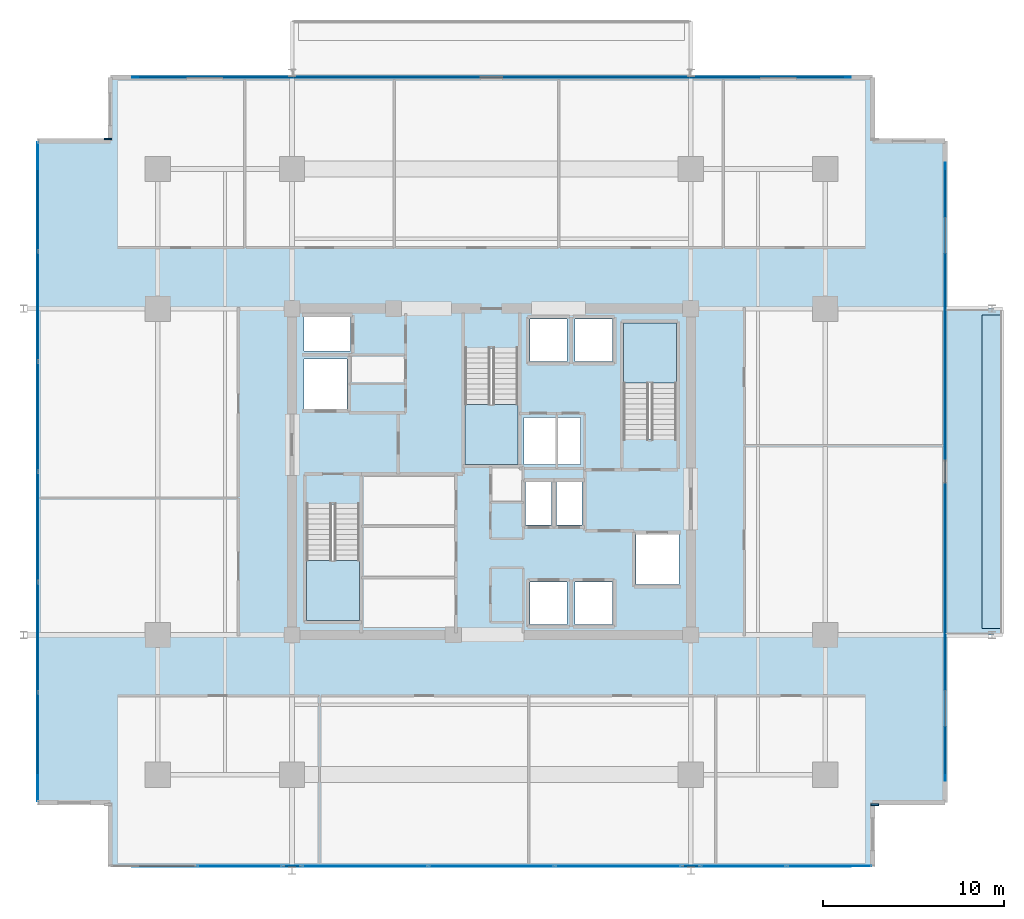
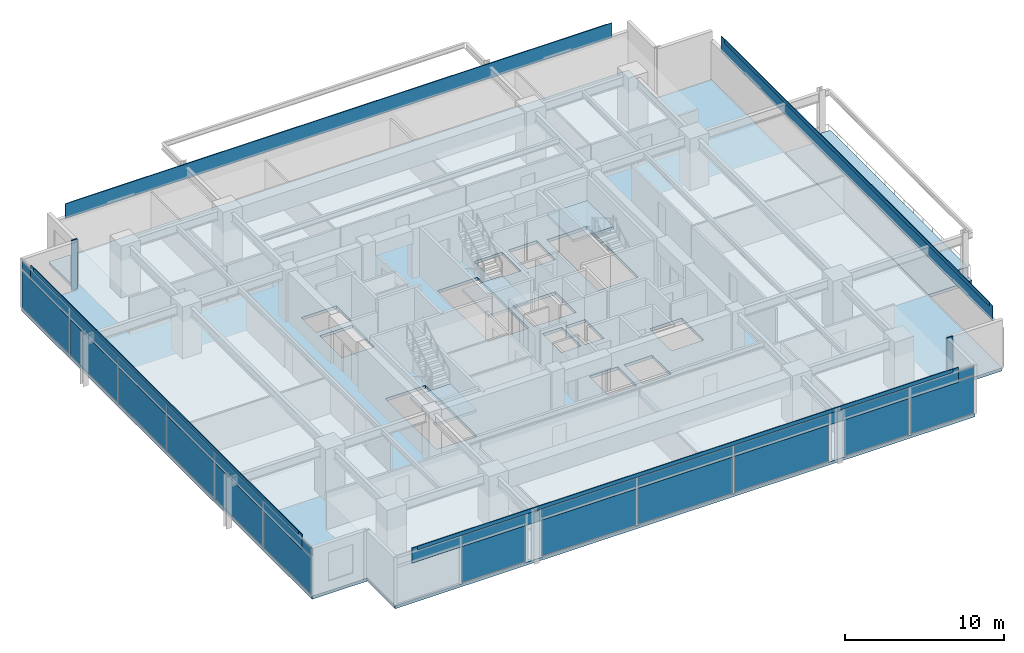
# One storey, part 13 of 21: 34 plates, 6 slabs, 7 elements without a shape of their own.
"""IFC4 building model written with IfcOpenShell, lengths in metres."""

from ifc_helpers import new_model, si_unit, direction, frame, origin, origin_2d, place, context, subcontext, project, spatial, polyline, rectangle, outline, extrude, material, layer, layer_set, type_object, element, aggregate, save


model = new_model("IFC4")

# Units and contexts
model_context = context("Model", 3, precision=1e-05, world=origin(), true_north=direction((0.0, 1.0)))
body_context = subcontext(model_context, "Body", "Model", "MODEL_VIEW")
ifc_project = project(units=[si_unit("LENGTHUNIT", "METRE"), si_unit("AREAUNIT", "SQUARE_METRE"), si_unit("VOLUMEUNIT", "CUBIC_METRE"), si_unit("PLANEANGLEUNIT", "RADIAN"), si_unit("MASSUNIT", "GRAM", prefix="KILO")], contexts=[model_context])

# Site, building, storey
site_placement = place(None, origin())
site = spatial("IfcSite", under=ifc_project, at=site_placement, CompositionType="ELEMENT")
building_placement = place(site_placement, origin())
building = spatial("IfcBuilding", under=site, at=building_placement, Name="Kovane Verandah Tower", CompositionType="ELEMENT")
storey_placement = place(building_placement, frame((0.0, 0.0, 209.199951171875)))
storey = spatial("IfcBuildingStorey", under=building, at=storey_placement, Name="L48", CompositionType="ELEMENT", Elevation=209.199951171875)

# Curtain wall, plate
ifc_material_1 = material(Name="Champagne Anodised Aluminium Frame with Low-E Clear Laminated Glass", Category="aluminium")
curtain_wall_type = type_object("IfcCurtainWallType", Name="CW-SYS-03-MID", PredefinedType="NOTDEFINED", material=ifc_material_1)
curtain_wall_1_placement = place(storey_placement, origin())
curtain_wall_1 = element("IfcCurtainWall", 1, at=curtain_wall_1_placement, inside=storey, type_object=curtain_wall_type, Name="L48 S Unitised Curtain Wall-1", PredefinedType="NOTDEFINED")
ifc_material_2 = material(Name="Pale Champagne Anodised Aluminium Insulated Spandrel", Category="aluminium")
ifc_layer_1 = layer(ifc_material_2, 0.0400390625)
ifc_layer_set_1 = layer_set([ifc_layer_1], Name="Pale Champagne Anodised Aluminium Insulated Spandrel")
plate_type_1 = type_object("IfcPlateType", Name="PL-CW-SPD-40", PredefinedType="SHEET", material=ifc_layer_set_1)
plate_1_placement = place(storey_placement, frame((26.10546875, 5.75830078125, 3.044921875), z_axis=(0.0, 0.0, 1.0), x_axis=(1.0, 0.0, 0.0)))
plate_1 = element("IfcPlate", 2, at=plate_1_placement, type_object=plate_type_1, Name="L48 S Unitised Curtain Wall-1 Spandrel Panel 2", PredefinedType="SHEET", context=body_context, shape_type="SweptSolid", body=[
    extrude(rectangle(XDim=4.60888671875, YDim=0.0400390625, at=origin_2d()), origin(), (0.0, 0.0, 1.0), 0.639892578125),
])

# Curtain wall, plates
curtain_wall_2_placement = place(storey_placement, origin())
curtain_wall_2 = element("IfcCurtainWall", 3, at=curtain_wall_2_placement, inside=storey, type_object=curtain_wall_type, Name="L48 S Unitised Curtain Wall-2", PredefinedType="NOTDEFINED")
plate_2_placement = place(storey_placement, frame((33.01318359375, 5.75830078125, 3.044921875), z_axis=(0.0, 0.0, 1.0), x_axis=(1.0, 0.0, 0.0)))
plate_2 = element("IfcPlate", 4, at=plate_2_placement, type_object=plate_type_1, Name="L48 S Unitised Curtain Wall-2 Spandrel Panel 1", PredefinedType="SHEET", context=body_context, shape_type="SweptSolid", body=[
    extrude(rectangle(XDim=6.8466796875, YDim=0.0400390625, at=origin_2d()), origin(), (0.0, 0.0, 1.0), 0.639892578125),
])
plate_3_placement = place(storey_placement, frame((40.0, 5.75830078125, 3.044921875), z_axis=(0.0, 0.0, 1.0), x_axis=(1.0, 0.0, 0.0)))
plate_3 = element("IfcPlate", 5, at=plate_3_placement, type_object=plate_type_1, Name="L48 S Unitised Curtain Wall-2 Spandrel Panel 2", PredefinedType="SHEET", context=body_context, shape_type="SweptSolid", body=[
    extrude(rectangle(XDim=6.8466796875, YDim=0.0400390625, at=origin_2d()), origin(), (0.0, 0.0, 1.0), 0.639892578125),
])
plate_4_placement = place(storey_placement, frame((46.98681640625, 5.75830078125, 3.044921875), z_axis=(0.0, 0.0, 1.0), x_axis=(1.0, 0.0, 0.0)))
plate_4 = element("IfcPlate", 6, at=plate_4_placement, type_object=plate_type_1, Name="L48 S Unitised Curtain Wall-2 Spandrel Panel 3", PredefinedType="SHEET", context=body_context, shape_type="SweptSolid", body=[
    extrude(rectangle(XDim=6.8466796875, YDim=0.0400390625, at=origin_2d()), origin(), (0.0, 0.0, 1.0), 0.639892578125),
])

curtain_wall_3_placement = place(storey_placement, origin())
curtain_wall_3 = element("IfcCurtainWall", 7, at=curtain_wall_3_placement, inside=storey, type_object=curtain_wall_type, Name="L48 S Unitised Curtain Wall-3", PredefinedType="NOTDEFINED")
plate_5_placement = place(storey_placement, frame((53.89453125, 5.75830078125, 3.044921875), z_axis=(0.0, 0.0, 1.0), x_axis=(1.0, 0.0, 0.0)))
plate_5 = element("IfcPlate", 8, at=plate_5_placement, type_object=plate_type_1, Name="L48 S Unitised Curtain Wall-3 Spandrel Panel 1", PredefinedType="SHEET", context=body_context, shape_type="SweptSolid", body=[
    extrude(rectangle(XDim=4.60888671875, YDim=0.0400390625, at=origin_2d()), origin(), (0.0, 0.0, 1.0), 0.639892578125),
])
plate_6_placement = place(storey_placement, frame((58.643310546875, 5.75830078125, 3.044921875), z_axis=(0.0, 0.0, 1.0), x_axis=(1.0, 0.0, 0.0)))
plate_6 = element("IfcPlate", 9, at=plate_6_placement, type_object=plate_type_1, Name="L48 S Unitised Curtain Wall-3 Spandrel Panel 2", PredefinedType="SHEET", context=body_context, shape_type="SweptSolid", body=[
    extrude(rectangle(XDim=4.60888671875, YDim=0.0400390625, at=origin_2d()), origin(), (0.0, 0.0, 1.0), 0.639892578125),
])

curtain_wall_4_placement = place(storey_placement, origin())
curtain_wall_4 = element("IfcCurtainWall", 10, at=curtain_wall_4_placement, inside=storey, type_object=curtain_wall_type, Name="L48 W Unitised Curtain Wall", PredefinedType="NOTDEFINED")
plate_7_placement = place(storey_placement, frame((14.982177734375, 42.701416015625, 3.044921875), z_axis=(0.0, 0.0, 1.0), x_axis=(0.0, -1.0, 0.0)))
plate_7 = element("IfcPlate", 11, at=plate_7_placement, type_object=plate_type_1, Name="L48 W Unitised Curtain Wall Spandrel Panel 1", PredefinedType="SHEET", context=body_context, shape_type="SweptSolid", body=[
    extrude(rectangle(XDim=5.9404296875, YDim=0.0400390625, at=origin_2d()), origin(), (0.0, 0.0, 1.0), 0.639892578125),
])
plate_8_placement = place(storey_placement, frame((14.982177734375, 36.620849609375, 3.044921875), z_axis=(0.0, 0.0, 1.0), x_axis=(0.0, -1.0, 0.0)))
plate_8 = element("IfcPlate", 12, at=plate_8_placement, type_object=plate_type_1, Name="L48 W Unitised Curtain Wall Spandrel Panel 2", PredefinedType="SHEET", context=body_context, shape_type="SweptSolid", body=[
    extrude(rectangle(XDim=5.9404296875, YDim=0.0400390625, at=origin_2d()), origin(), (0.0, 0.0, 1.0), 0.639892578125),
])
plate_9_placement = place(storey_placement, frame((14.982177734375, 30.540283203125, 3.044921875), z_axis=(0.0, 0.0, 1.0), x_axis=(0.0, -1.0, 0.0)))
plate_9 = element("IfcPlate", 13, at=plate_9_placement, type_object=plate_type_1, Name="L48 W Unitised Curtain Wall Spandrel Panel 3", PredefinedType="SHEET", context=body_context, shape_type="SweptSolid", body=[
    extrude(rectangle(XDim=5.9404296875, YDim=0.0400390625, at=origin_2d()), origin(), (0.0, 0.0, 1.0), 0.639892578125),
])
plate_10_placement = place(storey_placement, frame((14.982177734375, 24.459716796875, 3.044921875), z_axis=(0.0, 0.0, 1.0), x_axis=(0.0, -1.0, 0.0)))
plate_10 = element("IfcPlate", 14, at=plate_10_placement, type_object=plate_type_1, Name="L48 W Unitised Curtain Wall Spandrel Panel 4", PredefinedType="SHEET", context=body_context, shape_type="SweptSolid", body=[
    extrude(rectangle(XDim=5.9404296875, YDim=0.0400390625, at=origin_2d()), origin(), (0.0, 0.0, 1.0), 0.639892578125),
])
plate_11_placement = place(storey_placement, frame((14.982177734375, 18.379150390625, 3.044921875), z_axis=(0.0, 0.0, 1.0), x_axis=(0.0, -1.0, 0.0)))
plate_11 = element("IfcPlate", 15, at=plate_11_placement, type_object=plate_type_1, Name="L48 W Unitised Curtain Wall Spandrel Panel 5", PredefinedType="SHEET", context=body_context, shape_type="SweptSolid", body=[
    extrude(rectangle(XDim=5.9404296875, YDim=0.0400390625, at=origin_2d()), origin(), (0.0, 0.0, 1.0), 0.639892578125),
])
plate_12_placement = place(storey_placement, frame((14.982177734375, 12.298583984375, 3.044921875), z_axis=(0.0, 0.0, 1.0), x_axis=(0.0, -1.0, 0.0)))
plate_12 = element("IfcPlate", 16, at=plate_12_placement, type_object=plate_type_1, Name="L48 W Unitised Curtain Wall Spandrel Panel 6", PredefinedType="SHEET", context=body_context, shape_type="SweptSolid", body=[
    extrude(rectangle(XDim=5.9404296875, YDim=0.0400390625, at=origin_2d()), origin(), (0.0, 0.0, 1.0), 0.639892578125),
])

# Plate
ifc_material_3 = material(Name="Clear Low-E Laminated Double Glazing", Category="glass")
ifc_layer_2 = layer(ifc_material_3, 0.031982421875)
ifc_layer_set_2 = layer_set([ifc_layer_2], Name="Clear Low-E Laminated Double Glazing")
plate_type_2 = type_object("IfcPlateType", Name="PL-CW-VIS-32", PredefinedType="CURTAIN_PANEL", material=ifc_layer_set_2)
plate_13_placement = place(storey_placement, frame((26.10546875, 5.75830078125, 0.10009765625), z_axis=(0.0, 0.0, 1.0), x_axis=(1.0, 0.0, 0.0)))
plate_13 = element("IfcPlate", 17, at=plate_13_placement, type_object=plate_type_2, Name="L48 S Unitised Curtain Wall-1 Vision Panel 2", PredefinedType="CURTAIN_PANEL", context=body_context, shape_type="SweptSolid", body=[
    extrude(rectangle(XDim=4.60888671875, YDim=0.031982421875, at=origin_2d()), origin(), (0.0, 0.0, 1.0), 2.844970703125),
])

aggregate(curtain_wall_1, [plate_13, plate_1])

plate_14_placement = place(storey_placement, frame((33.01318359375, 5.75830078125, 0.10009765625), z_axis=(0.0, 0.0, 1.0), x_axis=(1.0, 0.0, 0.0)))
plate_14 = element("IfcPlate", 18, at=plate_14_placement, type_object=plate_type_2, Name="L48 S Unitised Curtain Wall-2 Vision Panel 1", PredefinedType="CURTAIN_PANEL", context=body_context, shape_type="SweptSolid", body=[
    extrude(rectangle(XDim=6.8466796875, YDim=0.031982421875, at=origin_2d()), origin(), (0.0, 0.0, 1.0), 2.844970703125),
])

plate_15_placement = place(storey_placement, frame((40.0, 5.75830078125, 0.10009765625), z_axis=(0.0, 0.0, 1.0), x_axis=(1.0, 0.0, 0.0)))
plate_15 = element("IfcPlate", 19, at=plate_15_placement, type_object=plate_type_2, Name="L48 S Unitised Curtain Wall-2 Vision Panel 2", PredefinedType="CURTAIN_PANEL", context=body_context, shape_type="SweptSolid", body=[
    extrude(rectangle(XDim=6.8466796875, YDim=0.031982421875, at=origin_2d()), origin(), (0.0, 0.0, 1.0), 2.844970703125),
])

plate_16_placement = place(storey_placement, frame((46.98681640625, 5.75830078125, 0.10009765625), z_axis=(0.0, 0.0, 1.0), x_axis=(1.0, 0.0, 0.0)))
plate_16 = element("IfcPlate", 20, at=plate_16_placement, type_object=plate_type_2, Name="L48 S Unitised Curtain Wall-2 Vision Panel 3", PredefinedType="CURTAIN_PANEL", context=body_context, shape_type="SweptSolid", body=[
    extrude(rectangle(XDim=6.8466796875, YDim=0.031982421875, at=origin_2d()), origin(), (0.0, 0.0, 1.0), 2.844970703125),
])

aggregate(curtain_wall_2, [plate_14, plate_2, plate_15, plate_3, plate_16, plate_4])

plate_17_placement = place(storey_placement, frame((53.89453125, 5.75830078125, 0.10009765625), z_axis=(0.0, 0.0, 1.0), x_axis=(1.0, 0.0, 0.0)))
plate_17 = element("IfcPlate", 21, at=plate_17_placement, type_object=plate_type_2, Name="L48 S Unitised Curtain Wall-3 Vision Panel 1", PredefinedType="CURTAIN_PANEL", context=body_context, shape_type="SweptSolid", body=[
    extrude(rectangle(XDim=4.60888671875, YDim=0.031982421875, at=origin_2d()), origin(), (0.0, 0.0, 1.0), 2.844970703125),
])

plate_18_placement = place(storey_placement, frame((58.643310546875, 5.75830078125, 0.10009765625), z_axis=(0.0, 0.0, 1.0), x_axis=(1.0, 0.0, 0.0)))
plate_18 = element("IfcPlate", 22, at=plate_18_placement, type_object=plate_type_2, Name="L48 S Unitised Curtain Wall-3 Vision Panel 2", PredefinedType="CURTAIN_PANEL", context=body_context, shape_type="SweptSolid", body=[
    extrude(rectangle(XDim=4.60888671875, YDim=0.031982421875, at=origin_2d()), origin(), (0.0, 0.0, 1.0), 2.844970703125),
])

aggregate(curtain_wall_3, [plate_17, plate_5, plate_18, plate_6])

plate_19_placement = place(storey_placement, frame((14.982177734375, 42.701416015625, 0.10009765625), z_axis=(0.0, 0.0, 1.0), x_axis=(0.0, -1.0, 0.0)))
plate_19 = element("IfcPlate", 23, at=plate_19_placement, type_object=plate_type_2, Name="L48 W Unitised Curtain Wall Vision Panel 1", PredefinedType="CURTAIN_PANEL", context=body_context, shape_type="SweptSolid", body=[
    extrude(rectangle(XDim=5.9404296875, YDim=0.031982421875, at=origin_2d()), origin(), (0.0, 0.0, 1.0), 2.844970703125),
])

plate_20_placement = place(storey_placement, frame((14.982177734375, 36.620849609375, 0.10009765625), z_axis=(0.0, 0.0, 1.0), x_axis=(0.0, -1.0, 0.0)))
plate_20 = element("IfcPlate", 24, at=plate_20_placement, type_object=plate_type_2, Name="L48 W Unitised Curtain Wall Vision Panel 2", PredefinedType="CURTAIN_PANEL", context=body_context, shape_type="SweptSolid", body=[
    extrude(rectangle(XDim=5.9404296875, YDim=0.031982421875, at=origin_2d()), origin(), (0.0, 0.0, 1.0), 2.844970703125),
])

plate_21_placement = place(storey_placement, frame((14.982177734375, 30.540283203125, 0.10009765625), z_axis=(0.0, 0.0, 1.0), x_axis=(0.0, -1.0, 0.0)))
plate_21 = element("IfcPlate", 25, at=plate_21_placement, type_object=plate_type_2, Name="L48 W Unitised Curtain Wall Vision Panel 3", PredefinedType="CURTAIN_PANEL", context=body_context, shape_type="SweptSolid", body=[
    extrude(rectangle(XDim=5.9404296875, YDim=0.031982421875, at=origin_2d()), origin(), (0.0, 0.0, 1.0), 2.844970703125),
])

plate_22_placement = place(storey_placement, frame((14.982177734375, 24.459716796875, 0.10009765625), z_axis=(0.0, 0.0, 1.0), x_axis=(0.0, -1.0, 0.0)))
plate_22 = element("IfcPlate", 26, at=plate_22_placement, type_object=plate_type_2, Name="L48 W Unitised Curtain Wall Vision Panel 4", PredefinedType="CURTAIN_PANEL", context=body_context, shape_type="SweptSolid", body=[
    extrude(rectangle(XDim=5.9404296875, YDim=0.031982421875, at=origin_2d()), origin(), (0.0, 0.0, 1.0), 2.844970703125),
])

plate_23_placement = place(storey_placement, frame((14.982177734375, 18.379150390625, 0.10009765625), z_axis=(0.0, 0.0, 1.0), x_axis=(0.0, -1.0, 0.0)))
plate_23 = element("IfcPlate", 27, at=plate_23_placement, type_object=plate_type_2, Name="L48 W Unitised Curtain Wall Vision Panel 5", PredefinedType="CURTAIN_PANEL", context=body_context, shape_type="SweptSolid", body=[
    extrude(rectangle(XDim=5.9404296875, YDim=0.031982421875, at=origin_2d()), origin(), (0.0, 0.0, 1.0), 2.844970703125),
])

plate_24_placement = place(storey_placement, frame((14.982177734375, 12.298583984375, 0.10009765625), z_axis=(0.0, 0.0, 1.0), x_axis=(0.0, -1.0, 0.0)))
plate_24 = element("IfcPlate", 28, at=plate_24_placement, type_object=plate_type_2, Name="L48 W Unitised Curtain Wall Vision Panel 6", PredefinedType="CURTAIN_PANEL", context=body_context, shape_type="SweptSolid", body=[
    extrude(rectangle(XDim=5.9404296875, YDim=0.031982421875, at=origin_2d()), origin(), (0.0, 0.0, 1.0), 2.844970703125),
])

aggregate(curtain_wall_4, [plate_19, plate_7, plate_20, plate_8, plate_21, plate_9, plate_22, plate_10, plate_23, plate_11, plate_24, plate_12])

# Plates
ifc_material_4 = material(Name="Timber-Toned Subtropical Aluminium Vertical Blade", Category="wood")
ifc_layer_3 = layer(ifc_material_4, 0.090087890625)
ifc_layer_set_3 = layer_set([ifc_layer_3], Name="Timber-Toned Subtropical Aluminium Vertical Blade")
plate_type_3 = type_object("IfcPlateType", Name="PL-FIN-90", PredefinedType="USERDEFINED", material=ifc_layer_set_3)
for number, where, z_axis, x_axis, name in (
    (29, (61.137939453125, 9.138427734375, -0.02001953125), (0.0, 0.0, 1.0), (1.0, 0.0, 0.0), "L48 SE Timber-Toned Vertical Corner Fin"),
    (30, (18.862060546875, 45.861572265625, -0.02001953125), (0.0, 0.0, 1.0), (1.0, 0.0, 0.0), "L48 NW Timber-Toned Vertical Corner Fin"),
):
    element("IfcPlate", number, at=place(storey_placement, frame(where, z_axis=z_axis, x_axis=x_axis)), inside=storey, type_object=plate_type_3, Name=name, ObjectType="FIN", PredefinedType="USERDEFINED", context=body_context, shape_type="SweptSolid", body=[
        extrude(rectangle(XDim=0.419921875, YDim=0.090087890625, at=origin_2d()), origin(), (0.0, 0.0, 1.0), 3.8349609375),
    ])
ifc_material_5 = material(Name="Perforated Pale Champagne Anodised Aluminium Solar Screen", Category="aluminium")
ifc_layer_4 = layer(ifc_material_5, 0.050048828125)
ifc_layer_set_4 = layer_set([ifc_layer_4], Name="Perforated Pale Champagne Anodised Aluminium Solar Screen")
plate_type_4 = type_object("IfcPlateType", Name="PL-SCREEN-50", PredefinedType="USERDEFINED", material=ifc_layer_set_4)
plate_25_placement = place(storey_placement, frame((40.0, 5.743408203125, 2.875), z_axis=(0.0, 0.0, 1.0), x_axis=(1.0, 0.0, 0.0)))
element("IfcPlate", 31, at=plate_25_placement, inside=storey, type_object=plate_type_4, Name="L48 S Perforated Champagne-Gold Solar Screen", ObjectType="SCREEN", PredefinedType="USERDEFINED", context=body_context, shape_type="SweptSolid", body=[
    extrude(rectangle(XDim=39.635986328125, YDim=0.050048828125, at=origin_2d()), origin(), (0.0, 0.0, 1.0), 1.14990234375),
])
plate_26_placement = place(storey_placement, frame((65.032958984375, 27.5, 2.875), z_axis=(0.0, 0.0, 1.0), x_axis=(0.0, 1.0, 0.0)))
element("IfcPlate", 32, at=plate_26_placement, inside=storey, type_object=plate_type_4, Name="L48 E Perforated Champagne-Gold Solar Screen", ObjectType="SCREEN", PredefinedType="USERDEFINED", context=body_context, shape_type="SweptSolid", body=[
    extrude(rectangle(XDim=34.0830078125, YDim=0.050048828125, at=origin_2d()), origin(), (0.0, 0.0, 1.0), 1.14990234375),
])
plate_27_placement = place(storey_placement, frame((40.0, 49.256591796875, 2.875), z_axis=(0.0, 0.0, 1.0), x_axis=(-1.0, 0.0, 0.0)))
element("IfcPlate", 33, at=plate_27_placement, inside=storey, type_object=plate_type_4, Name="L48 N Perforated Champagne-Gold Solar Screen", ObjectType="SCREEN", PredefinedType="USERDEFINED", context=body_context, shape_type="SweptSolid", body=[
    extrude(rectangle(XDim=39.635986328125, YDim=0.050048828125, at=origin_2d()), origin(), (0.0, 0.0, 1.0), 1.14990234375),
])
plate_28_placement = place(storey_placement, frame((14.967041015625, 27.5, 2.875), z_axis=(0.0, 0.0, 1.0), x_axis=(0.0, -1.0, 0.0)))
element("IfcPlate", 34, at=plate_28_placement, inside=storey, type_object=plate_type_4, Name="L48 W Perforated Champagne-Gold Solar Screen", ObjectType="SCREEN", PredefinedType="USERDEFINED", context=body_context, shape_type="SweptSolid", body=[
    extrude(rectangle(XDim=34.0830078125, YDim=0.050048828125, at=origin_2d()), origin(), (0.0, 0.0, 1.0), 1.14990234375),
])
ifc_material_6 = material(Name="Extruded Pale-Bronze Aluminium Aerofoil Sunshade", Category="aluminium")
ifc_layer_5 = layer(ifc_material_6, 0.06005859375)
ifc_layer_set_5 = layer_set([ifc_layer_5], Name="Extruded Pale-Bronze Aluminium Aerofoil Sunshade")
plate_type_5 = type_object("IfcPlateType", Name="PL-SUNSHADE-60", PredefinedType="USERDEFINED", material=ifc_layer_set_5)
plate_29_placement = place(storey_placement, frame((40.0, 5.73828125, 3.7548828125), z_axis=(0.0, 0.0, 1.0), x_axis=(1.0, 0.0, 0.0)))
element("IfcPlate", 35, at=plate_29_placement, inside=storey, type_object=plate_type_5, Name="L48 S Subtropical Aerofoil Sunshade", ObjectType="SUNSHADE", PredefinedType="USERDEFINED", context=body_context, shape_type="SweptSolid", body=[
    extrude(rectangle(XDim=38.8359375, YDim=0.06005859375, at=origin_2d()), origin(), (0.0, 0.0, 1.0), 0.280029296875),
])
plate_30_placement = place(storey_placement, frame((65.037841796875, 27.5, 3.7548828125), z_axis=(0.0, 0.0, 1.0), x_axis=(0.0, 1.0, 0.0)))
element("IfcPlate", 36, at=plate_30_placement, inside=storey, type_object=plate_type_5, Name="L48 E Subtropical Aerofoil Sunshade", ObjectType="SUNSHADE", PredefinedType="USERDEFINED", context=body_context, shape_type="SweptSolid", body=[
    extrude(rectangle(XDim=33.282958984375, YDim=0.06005859375, at=origin_2d()), origin(), (0.0, 0.0, 1.0), 0.280029296875),
])
plate_31_placement = place(storey_placement, frame((40.0, 49.26171875, 3.7548828125), z_axis=(0.0, 0.0, 1.0), x_axis=(-1.0, 0.0, 0.0)))
element("IfcPlate", 37, at=plate_31_placement, inside=storey, type_object=plate_type_5, Name="L48 N Subtropical Aerofoil Sunshade", ObjectType="SUNSHADE", PredefinedType="USERDEFINED", context=body_context, shape_type="SweptSolid", body=[
    extrude(rectangle(XDim=38.8359375, YDim=0.06005859375, at=origin_2d()), origin(), (0.0, 0.0, 1.0), 0.280029296875),
])
plate_32_placement = place(storey_placement, frame((14.962158203125, 27.5, 3.7548828125), z_axis=(0.0, 0.0, 1.0), x_axis=(0.0, -1.0, 0.0)))
element("IfcPlate", 38, at=plate_32_placement, inside=storey, type_object=plate_type_5, Name="L48 W Subtropical Aerofoil Sunshade", ObjectType="SUNSHADE", PredefinedType="USERDEFINED", context=body_context, shape_type="SweptSolid", body=[
    extrude(rectangle(XDim=33.282958984375, YDim=0.06005859375, at=origin_2d()), origin(), (0.0, 0.0, 1.0), 0.280029296875),
])

# Slab
ifc_material_7 = material(Name="Concrete C45/55", Category="concrete")
ifc_layer_6 = layer(ifc_material_7, 0.239990234375)
ifc_layer_set_6 = layer_set([ifc_layer_6], Name="Concrete C45/55")
slab_type_1 = type_object("IfcSlabType", Name="SL-BALC-240", PredefinedType="FLOOR", material=ifc_layer_set_6)
slab_1_placement = place(storey_placement, frame((0.0, 0.0, -0.239990234375)))
element("IfcSlab", 39, at=slab_1_placement, inside=storey, type_object=slab_type_1, Name="L48 E Planted Verandah Balcony Slab", PredefinedType="FLOOR", context=body_context, shape_type="SweptSolid", body=[
    extrude(outline(polyline([(65.017822265625, 18.5), (68.16796875, 18.5), (68.16796875, 36.5), (65.017822265625, 36.5), (65.017822265625, 18.5)])), origin(), (0.0, 0.0, 1.0), 0.239990234375),
])

# Stair, slab
stair_type = type_object("IfcStairType", Name="ST-CORE-1380", PredefinedType="HALF_TURN_STAIR", material=ifc_material_7)
stair_1_placement = place(storey_placement, origin())
stair_1 = element("IfcStair", 40, at=stair_1_placement, inside=storey, type_object=stair_type, Name="L48 Exit Stair ST-01", PredefinedType="HALF_TURN_STAIR")
ifc_layer_7 = layer(ifc_material_7, 0.199951171875)
ifc_layer_set_7 = layer_set([ifc_layer_7], Name="Concrete C45/55")
slab_type_2 = type_object("IfcSlabType", Name="SL-LAND-200", PredefinedType="LANDING", material=ifc_layer_set_7)
slab_2_placement = place(storey_placement, frame((0.0, 0.0, 1.800048828125)))
slab_2 = element("IfcSlab", 41, at=slab_2_placement, type_object=slab_type_2, Name="ST-01 landing 1", PredefinedType="LANDING", context=body_context, shape_type="SweptSolid", body=[
    extrude(outline(polyline([(29.800048828125, 22.614990234375), (29.800048828125, 19.300048828125), (32.719970703125, 19.300048828125), (32.719970703125, 22.614990234375), (29.800048828125, 22.614990234375)])), origin(), (0.0, 0.0, 1.0), 0.199951171875),
])
aggregate(stair_1, [slab_2])

stair_2_placement = place(storey_placement, origin())
stair_2 = element("IfcStair", 42, at=stair_2_placement, inside=storey, type_object=stair_type, Name="L48 Exit Stair ST-02", PredefinedType="HALF_TURN_STAIR")
slab_3_placement = place(storey_placement, frame((0.0, 0.0, 1.800048828125)))
slab_3 = element("IfcSlab", 43, at=slab_3_placement, type_object=slab_type_2, Name="ST-02 landing 1", PredefinedType="LANDING", context=body_context, shape_type="SweptSolid", body=[
    extrude(outline(polyline([(50.199951171875, 32.385009765625), (50.199951171875, 35.699951171875), (47.280029296875, 35.699951171875), (47.280029296875, 32.385009765625), (50.199951171875, 32.385009765625)])), origin(), (0.0, 0.0, 1.0), 0.199951171875),
])
aggregate(stair_2, [slab_3])

stair_3_placement = place(storey_placement, origin())
stair_3 = element("IfcStair", 44, at=stair_3_placement, inside=storey, type_object=stair_type, Name="L48 Exit Stair ST-03", PredefinedType="HALF_TURN_STAIR")
slab_4_placement = place(storey_placement, frame((0.0, 0.0, 1.800048828125)))
slab_4 = element("IfcSlab", 45, at=slab_4_placement, type_object=slab_type_2, Name="ST-03 landing 1", PredefinedType="LANDING", context=body_context, shape_type="SweptSolid", body=[
    extrude(outline(polyline([(38.5400390625, 31.215087890625), (38.5400390625, 27.89990234375), (41.4599609375, 27.89990234375), (41.4599609375, 31.215087890625), (38.5400390625, 31.215087890625)])), origin(), (0.0, 0.0, 1.0), 0.199951171875),
])
aggregate(stair_3, [slab_4])

# Slabs
ifc_layer_8 = layer(ifc_material_7, 0.22509765625)
ifc_layer_set_8 = layer_set([ifc_layer_8], Name="Concrete C45/55")
slab_type_3 = type_object("IfcSlabType", Name="SL-MID-225", PredefinedType="FLOOR", material=ifc_layer_set_8)
slab_5_placement = place(storey_placement, frame((0.0, 0.0, -0.224853515625)))
element("IfcSlab", 46, at=slab_5_placement, inside=storey, type_object=slab_type_3, Name="L48 Structural Floor Slab", PredefinedType="FLOOR", context=body_context, shape_type="SweptSolid", body=[
    extrude(outline(polyline([(18.982177734375, 5.75830078125), (61.017822265625, 5.75830078125), (61.017822265625, 9.25830078125), (65.017822265625, 9.25830078125), (65.017822265625, 45.74169921875), (61.017822265625, 45.74169921875), (61.017822265625, 49.24169921875), (18.982177734375, 49.24169921875), (18.982177734375, 45.74169921875), (14.982177734375, 45.74169921875), (14.982177734375, 9.25830078125), (18.982177734375, 9.25830078125), (18.982177734375, 5.75830078125)]), holes=[polyline([(29.800048828125, 19.300048828125), (32.719970703125, 19.300048828125), (32.719970703125, 25.705078125), (29.800048828125, 25.705078125), (29.800048828125, 19.300048828125)]), polyline([(47.280029296875, 29.294921875), (50.199951171875, 29.294921875), (50.199951171875, 35.699951171875), (47.280029296875, 35.699951171875), (47.280029296875, 29.294921875)]), polyline([(38.5400390625, 27.89990234375), (41.4599609375, 27.89990234375), (41.4599609375, 34.304931640625), (38.5400390625, 34.304931640625), (38.5400390625, 27.89990234375)]), polyline([(29.669921875, 30.969970703125), (32.030029296875, 30.969970703125), (32.030029296875, 33.72998046875), (29.669921875, 33.72998046875), (29.669921875, 30.969970703125)]), polyline([(47.969970703125, 21.27001953125), (50.330078125, 21.27001953125), (50.330078125, 24.030029296875), (47.969970703125, 24.030029296875), (47.969970703125, 21.27001953125)]), polyline([(29.669921875, 34.169921875), (32.22998046875, 34.169921875), (32.22998046875, 36.030029296875), (29.669921875, 36.030029296875), (29.669921875, 34.169921875)]), polyline([(42.1201171875, 19.070068359375), (44.179931640625, 19.070068359375), (44.179931640625, 21.429931640625), (42.1201171875, 21.429931640625), (42.1201171875, 19.070068359375)]), polyline([(44.6201171875, 19.070068359375), (46.679931640625, 19.070068359375), (46.679931640625, 21.429931640625), (44.6201171875, 21.429931640625), (44.6201171875, 19.070068359375)]), polyline([(41.8798828125, 24.570068359375), (43.320068359375, 24.570068359375), (43.320068359375, 26.929931640625), (41.8798828125, 26.929931640625), (41.8798828125, 24.570068359375)]), polyline([(43.580078125, 24.570068359375), (45.0, 24.570068359375), (45.0, 26.929931640625), (43.580078125, 26.929931640625), (43.580078125, 24.570068359375)]), polyline([(42.1201171875, 33.570068359375), (44.179931640625, 33.570068359375), (44.179931640625, 35.929931640625), (42.1201171875, 35.929931640625), (42.1201171875, 33.570068359375)]), polyline([(44.6201171875, 33.570068359375), (46.679931640625, 33.570068359375), (46.679931640625, 35.929931640625), (44.6201171875, 35.929931640625), (44.6201171875, 33.570068359375)]), polyline([(41.800048828125, 27.89990234375), (44.89990234375, 27.89990234375), (44.89990234375, 30.5), (41.800048828125, 30.5), (41.800048828125, 27.89990234375)])]), origin(), (0.0, 0.0, 1.0), 0.224853515625),
])
ifc_material_8 = material(Name="Architectural Precast Concrete C45/55 Planter Trough", Category="concrete")
ifc_layer_9 = layer(ifc_material_8, 0.219970703125)
ifc_layer_set_9 = layer_set([ifc_layer_9], Name="Architectural Precast Concrete C45/55 Planter Trough")
slab_type_4 = type_object("IfcSlabType", Name="SL-PLANTER-220", PredefinedType="USERDEFINED", material=ifc_layer_set_9)
slab_6_placement = place(storey_placement, origin())
element("IfcSlab", 47, at=slab_6_placement, inside=storey, type_object=slab_type_4, Name="L48 E Structural Tree Planter", ObjectType="PLANTER", PredefinedType="USERDEFINED", context=body_context, shape_type="SweptSolid", body=[
    extrude(outline(polyline([(67.06787109375, 18.85009765625), (68.06787109375, 18.85009765625), (68.06787109375, 36.14990234375), (67.06787109375, 36.14990234375), (67.06787109375, 18.85009765625)])), origin(), (0.0, 0.0, 1.0), 0.85009765625),
])

save(model, "model.ifc")
